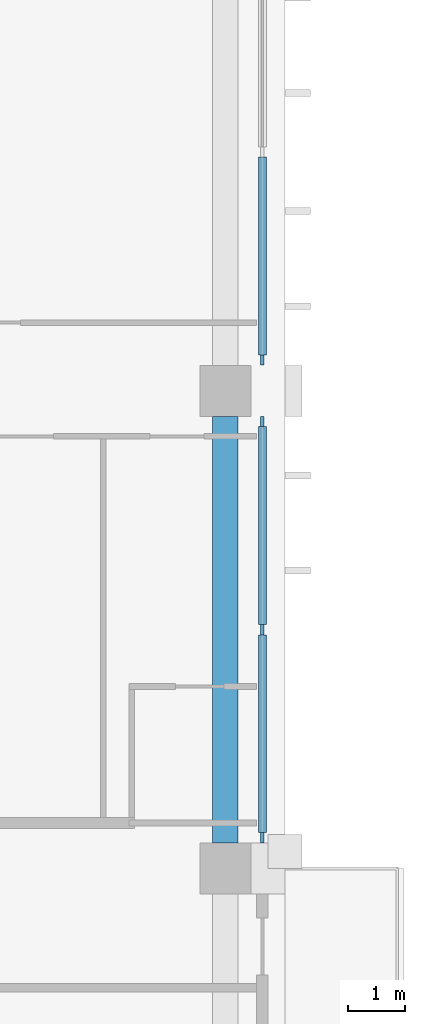
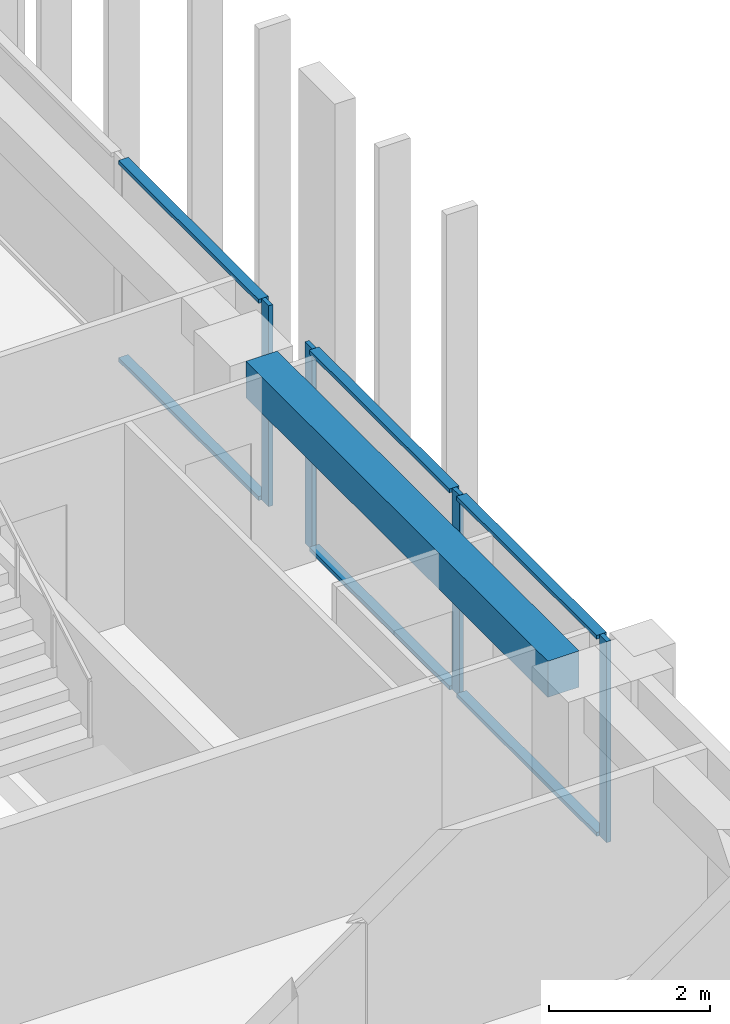
# One storey, part 4 of 18: 10 members, 1 beam, 2 elements without a shape of their own.
"""IFC4 building model written with IfcOpenShell, lengths in metres."""

from ifc_helpers import new_model, si_unit, direction, frame, origin, origin_2d, place, context, subcontext, project, spatial, rectangle, extrude, material, material_profile, profile_set, type_object, element, aggregate, save


model = new_model("IFC4")

# Units and contexts
model_context = context("Model", 3, precision=1e-05, world=origin(), true_north=direction((0.0, 1.0)))
body_context = subcontext(model_context, "Body", "Model", "MODEL_VIEW")
ifc_project = project(units=[si_unit("LENGTHUNIT", "METRE"), si_unit("AREAUNIT", "SQUARE_METRE"), si_unit("VOLUMEUNIT", "CUBIC_METRE"), si_unit("PLANEANGLEUNIT", "RADIAN"), si_unit("MASSUNIT", "GRAM", prefix="KILO")], contexts=[model_context])

# Site, building, storey
site_placement = place(None, origin())
site = spatial("IfcSite", under=ifc_project, at=site_placement, CompositionType="ELEMENT")
building_placement = place(site_placement, origin())
building = spatial("IfcBuilding", under=site, at=building_placement, Name="Vermilion Ogive Tower", CompositionType="ELEMENT")
storey_placement = place(building_placement, frame((0.0, 0.0, 254.5)))
storey = spatial("IfcBuildingStorey", under=building, at=storey_placement, Name="L67", CompositionType="ELEMENT", Elevation=254.5)

# Curtain wall, members
ifc_material_1 = material(Name="Low-iron laminated glazing in aluminium frame", Category="aluminium")
curtain_wall_type = type_object("IfcCurtainWallType", Name="Curtain wall CW7", PredefinedType="NOTDEFINED", material=ifc_material_1)
curtain_wall_1_placement = place(storey_placement, origin())
curtain_wall_1 = element("IfcCurtainWall", 1, at=curtain_wall_1_placement, inside=storey, type_object=curtain_wall_type, Name="Glazed skin E2", PredefinedType="NOTDEFINED")
ifc_material_2 = material(Name="Aluminium mullion", Category="aluminium")
ifc_material_profile_1 = material_profile(ifc_material_2, rectangle(XDim=0.06005859375, YDim=0.179931640625, at=origin_2d()), Name="AL 60x180")
ifc_profile_set_1 = profile_set([ifc_material_profile_1], Name="Aluminium mullion")
member_type_1 = type_object("IfcMemberType", Name="CW7 mullion 60x180", PredefinedType="MULLION", material=ifc_profile_set_1)
member_1_placement = place(storey_placement, frame((25.85009765625, -3.659912109375, 0.0), z_axis=(0.0, 0.0, 1.0), x_axis=(-1.0, 0.0, 0.0)))
member_1 = element("IfcMember", 2, at=member_1_placement, type_object=member_type_1, Name="CW7-E2 mullion 1", PredefinedType="MULLION", context=body_context, shape_type="SweptSolid", body=[
    extrude(rectangle(XDim=0.06005859375, YDim=0.179931640625, at=origin_2d()), origin(), (0.0, 0.0, 1.0), 3.050048828125),
])
member_2_placement = place(storey_placement, frame((25.85009765625, 0.0, 0.0), z_axis=(0.0, 0.0, 1.0), x_axis=(-1.0, 0.0, 0.0)))
member_2 = element("IfcMember", 3, at=member_2_placement, type_object=member_type_1, Name="CW7-E2 mullion 2", PredefinedType="MULLION", context=body_context, shape_type="SweptSolid", body=[
    extrude(rectangle(XDim=0.06005859375, YDim=0.179931640625, at=origin_2d()), origin(), (0.0, 0.0, 1.0), 3.050048828125),
])
member_3_placement = place(storey_placement, frame((25.85009765625, 3.659912109375, 0.0), z_axis=(0.0, 0.0, 1.0), x_axis=(-1.0, 0.0, 0.0)))
member_3 = element("IfcMember", 4, at=member_3_placement, type_object=member_type_1, Name="CW7-E2 mullion 3", PredefinedType="MULLION", context=body_context, shape_type="SweptSolid", body=[
    extrude(rectangle(XDim=0.06005859375, YDim=0.179931640625, at=origin_2d()), origin(), (0.0, 0.0, 1.0), 3.050048828125),
])

# Curtain wall, member
curtain_wall_2_placement = place(storey_placement, origin())
curtain_wall_2 = element("IfcCurtainWall", 5, at=curtain_wall_2_placement, inside=storey, type_object=curtain_wall_type, Name="Glazed skin E3", PredefinedType="NOTDEFINED")
member_4_placement = place(storey_placement, frame((25.85009765625, 4.739990234375, 0.0), z_axis=(0.0, 0.0, 1.0), x_axis=(-1.0, 0.0, 0.0)))
member_4 = element("IfcMember", 6, at=member_4_placement, type_object=member_type_1, Name="CW7-E3 mullion 1", PredefinedType="MULLION", context=body_context, shape_type="SweptSolid", body=[
    extrude(rectangle(XDim=0.06005859375, YDim=0.179931640625, at=origin_2d()), origin(), (0.0, 0.0, 1.0), 3.050048828125),
])

# Member
ifc_material_3 = material(Name="Aluminium transom", Category="aluminium")
ifc_material_profile_2 = material_profile(ifc_material_3, rectangle(XDim=0.139892578125, YDim=0.06005859375, at=origin_2d()), Name="AL 60x140")
ifc_profile_set_2 = profile_set([ifc_material_profile_2], Name="Aluminium transom")
member_type_2 = type_object("IfcMemberType", Name="CW7 transom 60x140", PredefinedType="USERDEFINED", material=ifc_profile_set_2)
member_5_placement = place(storey_placement, frame((25.85009765625, -3.570068359375, 0.030029296875), z_axis=(0.0, 1.0, 0.0), x_axis=(-1.0, 0.0, 0.0)))
member_5 = element("IfcMember", 7, at=member_5_placement, type_object=member_type_2, Name="CW7-E2 transom 1.1", ObjectType="TRANSOM", PredefinedType="USERDEFINED", context=body_context, shape_type="SweptSolid", body=[
    extrude(rectangle(XDim=0.139892578125, YDim=0.06005859375, at=origin_2d()), origin(), (0.0, 0.0, 1.0), 3.47998046875),
])

member_6_placement = place(storey_placement, frame((25.85009765625, -3.570068359375, 3.02001953125), z_axis=(0.0, 1.0, 0.0), x_axis=(-1.0, 0.0, 0.0)))
member_6 = element("IfcMember", 8, at=member_6_placement, type_object=member_type_2, Name="CW7-E2 transom 1.2", ObjectType="TRANSOM", PredefinedType="USERDEFINED", context=body_context, shape_type="SweptSolid", body=[
    extrude(rectangle(XDim=0.139892578125, YDim=0.06005859375, at=origin_2d()), origin(), (0.0, 0.0, 1.0), 3.47998046875),
])

member_7_placement = place(storey_placement, frame((25.85009765625, 0.090087890625, 0.030029296875), z_axis=(0.0, 1.0, 0.0), x_axis=(-1.0, 0.0, 0.0)))
member_7 = element("IfcMember", 9, at=member_7_placement, type_object=member_type_2, Name="CW7-E2 transom 2.1", ObjectType="TRANSOM", PredefinedType="USERDEFINED", context=body_context, shape_type="SweptSolid", body=[
    extrude(rectangle(XDim=0.139892578125, YDim=0.06005859375, at=origin_2d()), origin(), (0.0, 0.0, 1.0), 3.47998046875),
])

member_8_placement = place(storey_placement, frame((25.85009765625, 0.090087890625, 3.02001953125), z_axis=(0.0, 1.0, 0.0), x_axis=(-1.0, 0.0, 0.0)))
member_8 = element("IfcMember", 10, at=member_8_placement, type_object=member_type_2, Name="CW7-E2 transom 2.2", ObjectType="TRANSOM", PredefinedType="USERDEFINED", context=body_context, shape_type="SweptSolid", body=[
    extrude(rectangle(XDim=0.139892578125, YDim=0.06005859375, at=origin_2d()), origin(), (0.0, 0.0, 1.0), 3.47998046875),
])

aggregate(curtain_wall_1, [member_1, member_2, member_3, member_5, member_6, member_7, member_8])

member_9_placement = place(storey_placement, frame((25.85009765625, 4.830078125, 0.030029296875), z_axis=(0.0, 1.0, 0.0), x_axis=(-1.0, 0.0, 0.0)))
member_9 = element("IfcMember", 11, at=member_9_placement, type_object=member_type_2, Name="CW7-E3 transom 1.1", ObjectType="TRANSOM", PredefinedType="USERDEFINED", context=body_context, shape_type="SweptSolid", body=[
    extrude(rectangle(XDim=0.139892578125, YDim=0.06005859375, at=origin_2d()), origin(), (0.0, 0.0, 1.0), 3.47998046875),
])

member_10_placement = place(storey_placement, frame((25.85009765625, 4.830078125, 3.02001953125), z_axis=(0.0, 1.0, 0.0), x_axis=(-1.0, 0.0, 0.0)))
member_10 = element("IfcMember", 12, at=member_10_placement, type_object=member_type_2, Name="CW7-E3 transom 1.2", ObjectType="TRANSOM", PredefinedType="USERDEFINED", context=body_context, shape_type="SweptSolid", body=[
    extrude(rectangle(XDim=0.139892578125, YDim=0.06005859375, at=origin_2d()), origin(), (0.0, 0.0, 1.0), 3.47998046875),
])

aggregate(curtain_wall_2, [member_4, member_9, member_10])

# Beam
ifc_material_4 = material(Name="Concrete B45", Category="concrete")
ifc_material_profile_3 = material_profile(ifc_material_4, rectangle(XDim=0.449951171875, YDim=0.550048828125, at=origin_2d()), Name="450 x 550")
ifc_profile_set_3 = profile_set([ifc_material_profile_3], Name="Concrete B45")
beam_type = type_object("IfcBeamType", Name="Edge beam 450 x 550 B45", PredefinedType="BEAM", material=ifc_profile_set_3)
beam_placement = place(storey_placement, frame((25.199951171875, -3.75, 2.77490234375), z_axis=(0.0, 1.0, 0.0), x_axis=(-1.0, 0.0, 0.0)))
element("IfcBeam", 13, at=beam_placement, inside=storey, type_object=beam_type, Name="L67-EB-8", PredefinedType="BEAM", context=body_context, shape_type="SweptSolid", body=[
    extrude(rectangle(XDim=0.449951171875, YDim=0.550048828125, at=origin_2d()), origin(), (0.0, 0.0, 1.0), 7.5),
])

save(model, "model.ifc")
